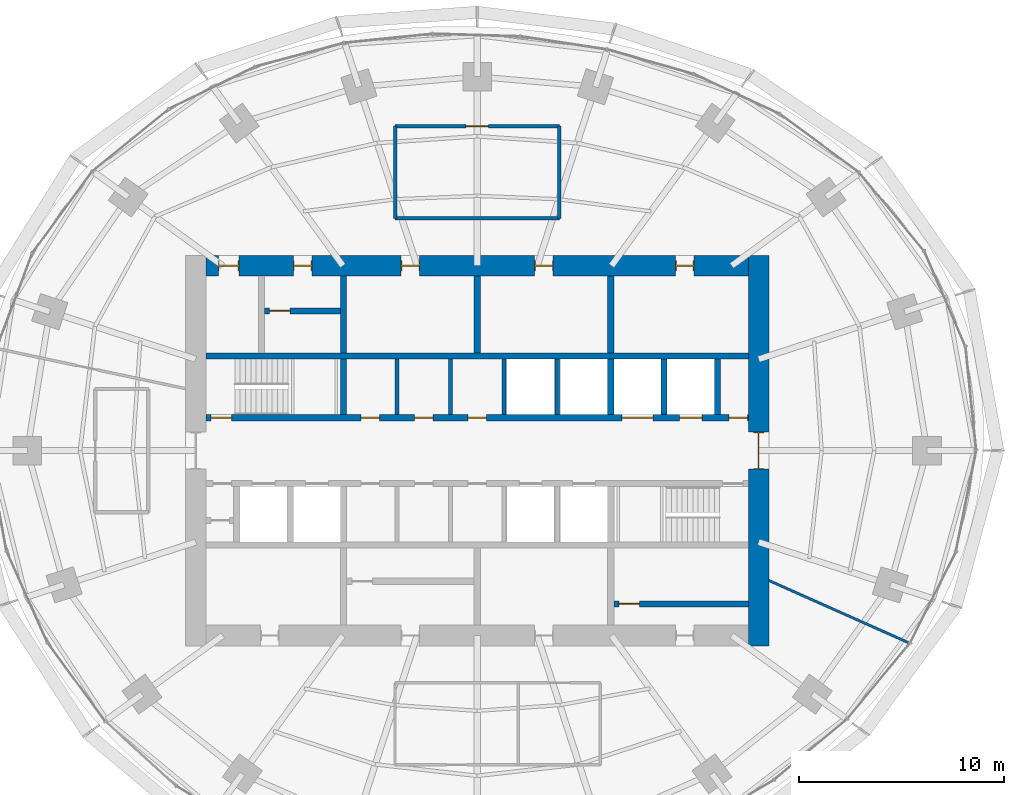
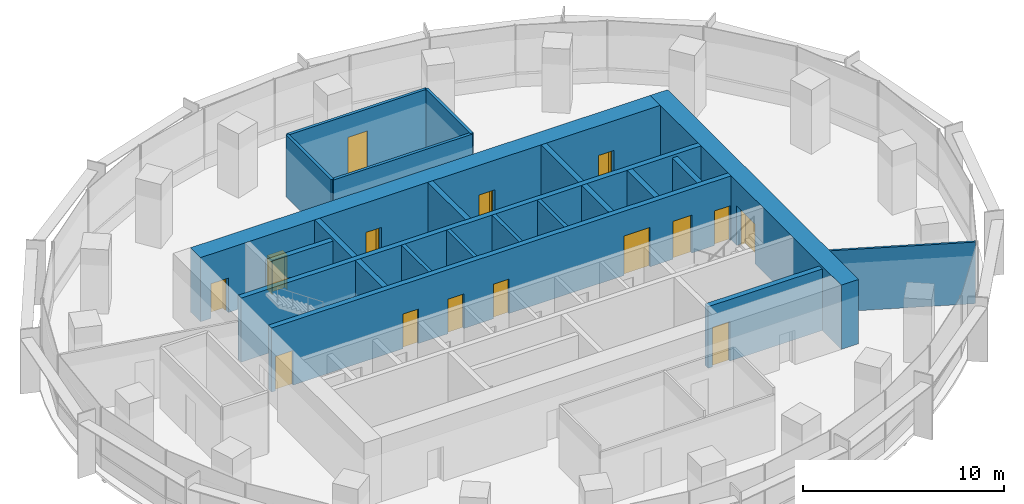
# One storey, part 11 of 14: 22 walls, 16 doors, 16 openings.
"""IFC4 building model written with IfcOpenShell, lengths in metres."""

from ifc_helpers import new_model, si_unit, direction, frame, frame_2d, origin, place, context, subcontext, project, spatial, rectangle, extrude, material, layer, layer_set, type_object, element, fill, save


model = new_model("IFC4")

# Units and contexts
model_context = context("Model", 3, precision=1e-05, world=origin(), true_north=direction((0.0, 1.0)))
body_context = subcontext(model_context, "Body", "Model", "MODEL_VIEW")
ifc_project = project(units=[si_unit("LENGTHUNIT", "METRE"), si_unit("AREAUNIT", "SQUARE_METRE"), si_unit("VOLUMEUNIT", "CUBIC_METRE"), si_unit("PLANEANGLEUNIT", "RADIAN"), si_unit("MASSUNIT", "GRAM", prefix="KILO")], contexts=[model_context])

# Site, building, storey
site_placement = place(None, origin())
site = spatial("IfcSite", under=ifc_project, at=site_placement, CompositionType="ELEMENT")
building_placement = place(site_placement, origin())
building = spatial("IfcBuilding", under=site, at=building_placement, Name="Marramba Exchange Tower", CompositionType="ELEMENT")
storey_placement = place(building_placement, frame((0.0, 0.0, 215.0)))
storey = spatial("IfcBuildingStorey", under=building, at=storey_placement, Name="L52", CompositionType="ELEMENT", Elevation=215.0)

# Wall
ifc_material_1 = material(Name="Plasterboard on staggered double steel studs, acoustic insulation", Category="steel")
ifc_layer_1 = layer(ifc_material_1, 0.169921875)
ifc_layer_set_1 = layer_set([ifc_layer_1], Name="Acoustic partition 170")
wall_type_1 = type_object("IfcWallType", Name="Acoustic partition 170", PredefinedType="PARTITIONING", material=ifc_layer_set_1)
wall_1_placement = place(storey_placement, frame((4.0, 15.800048828125, 0.0), z_axis=(0.0, 0.0, 1.0), x_axis=(0.0, -1.0, 0.0)))
element("IfcWall", 1, at=wall_1_placement, inside=storey, type_object=wall_type_1, Name="Acoustic partition L52 08", PredefinedType="PARTITIONING", context=body_context, shape_type="SweptSolid", body=[
    extrude(rectangle(XDim=4.5, YDim=0.169921875, at=frame_2d((2.25, 0.0))), origin(), (0.0, 0.0, 1.0), 3.739990234375),
])

# Wall, opening, door
wall_2_placement = place(storey_placement, frame((-4.0, 15.800048828125, 0.0), z_axis=(0.0, 0.0, 1.0), x_axis=(1.0, 0.0, 0.0)))
wall_2 = element("IfcWall", 2, at=wall_2_placement, inside=storey, type_object=wall_type_1, Name="Acoustic partition L52 09", PredefinedType="PARTITIONING", context=body_context, shape_type="SweptSolid", body=[
    extrude(rectangle(XDim=8.0, YDim=0.169921875, at=frame_2d((4.0, 0.0))), origin(), (0.0, 0.0, 1.0), 3.739990234375),
])
opening_1_placement = place(wall_2_placement, frame((3.449951171875, 0.0, 0.0)))
opening_1 = element("IfcOpeningElement", 3, at=opening_1_placement, cuts=wall_2, Name="Opening D15", PredefinedType="OPENING", context=body_context, shape_type="SweptSolid", body=[
    extrude(rectangle(XDim=1.10009765625, YDim=2.39990234375, at=frame_2d((0.550048828125, 1.199951171875))), frame((0.0, 0.094970703125, 0.0), z_axis=(0.0, -1.0, 0.0), x_axis=(1.0, 0.0, 0.0)), (0.0, 0.0, 1.0), 0.18994140625),
])
ifc_material_2 = material(Name="Timber door", Category="wood")
door_type_1 = type_object("IfcDoorType", Name="Glazed meeting room door 1100x2400", OperationType="SINGLE_SWING_LEFT", PredefinedType="DOOR", material=ifc_material_2)
door_1_placement = place(opening_1_placement, frame((1.10009765625, 0.0, 0.0), z_axis=(0.0, 0.0, 1.0), x_axis=(-1.0, 0.0, 0.0)))
door_1 = element("IfcDoor", 4, at=door_1_placement, inside=storey, type_object=door_type_1, Name="D15 Meeting Room L52", OperationType="SINGLE_SWING_RIGHT", OverallHeight=2.39990234375, OverallWidth=1.10009765625, PredefinedType="DOOR", context=body_context, shape_type="SweptSolid", body=[
    extrude(rectangle(XDim=1.10009765625, YDim=2.39990234375, at=frame_2d((0.550048828125, 1.199951171875))), frame((0.0, 0.025146484375, 0.0), z_axis=(0.0, -1.0, 0.0), x_axis=(1.0, 0.0, 0.0)), (0.0, 0.0, 1.0), 0.050048828125),
])
fill(opening_1, door_1)

# Walls
wall_3_placement = place(storey_placement, frame((4.0, 11.300048828125, 0.0), z_axis=(0.0, 0.0, 1.0), x_axis=(-1.0, 0.0, 0.0)))
element("IfcWall", 5, at=wall_3_placement, inside=storey, type_object=wall_type_1, Name="Acoustic partition L52 10", PredefinedType="PARTITIONING", context=body_context, shape_type="SweptSolid", body=[
    extrude(rectangle(XDim=8.0, YDim=0.169921875, at=frame_2d((4.0, 0.0))), origin(), (0.0, 0.0, 1.0), 3.739990234375),
])
wall_4_placement = place(storey_placement, frame((-4.0, 11.300048828125, 0.0), z_axis=(0.0, 0.0, 1.0), x_axis=(0.0, 1.0, 0.0)))
element("IfcWall", 6, at=wall_4_placement, inside=storey, type_object=wall_type_1, Name="Acoustic partition L52 11", PredefinedType="PARTITIONING", context=body_context, shape_type="SweptSolid", body=[
    extrude(rectangle(XDim=4.5, YDim=0.169921875, at=frame_2d((2.25, 0.0))), origin(), (0.0, 0.0, 1.0), 3.739990234375),
])
ifc_material_3 = material(Name="Concrete N50", Category="concrete")
ifc_layer_2 = layer(ifc_material_3, 0.199951171875)
ifc_layer_set_2 = layer_set([ifc_layer_2], Name="Core shaft wall 200")
wall_type_2 = type_object("IfcWallType", Name="Core shaft wall 200", PredefinedType="SHEAR", material=ifc_layer_set_2)
for number, where, z_axis, x_axis, name in (
    (7, (-3.89990234375, 1.75, 0.0), (0.0, 0.0, 1.0), (0.0, 1.0, 0.0), "Core wall SHN1 L52"),
    (8, (-1.300048828125, 1.75, 0.0), (0.0, 0.0, 1.0), (0.0, 1.0, 0.0), "Core wall SHN2 L52"),
    (9, (1.300048828125, 1.75, 0.0), (0.0, 0.0, 1.0), (0.0, 1.0, 0.0), "Core wall SHN3 L52"),
    (10, (3.89990234375, 1.75, 0.0), (0.0, 0.0, 1.0), (0.0, 1.0, 0.0), "Core wall SHN4 L52"),
):
    element("IfcWall", number, at=place(storey_placement, frame(where, z_axis=z_axis, x_axis=x_axis)), inside=storey, type_object=wall_type_2, Name=name, PredefinedType="SHEAR", context=body_context, shape_type="SweptSolid", body=[
        extrude(rectangle(XDim=2.699951171875, YDim=0.199951171875, at=frame_2d((1.35009765625, 0.0))), origin(), (0.0, 0.0, 1.0), 3.89990234375),
    ])

# Wall, openings, doors
ifc_layer_3 = layer(ifc_material_3, 1.0)
ifc_layer_set_3 = layer_set([ifc_layer_3], Name="Core wall 1000")
wall_type_3 = type_object("IfcWallType", Name="Core wall 1000", PredefinedType="SHEAR", material=ifc_layer_set_3)
wall_5_placement = place(storey_placement, frame((13.199951171875, 9.0, 0.0), z_axis=(0.0, 0.0, 1.0), x_axis=(-1.0, 0.0, 0.0)))
wall_5 = element("IfcWall", 11, at=wall_5_placement, inside=storey, type_object=wall_type_3, Name="Core wall N L52", PredefinedType="SHEAR", context=body_context, shape_type="SweptSolid", body=[
    extrude(rectangle(XDim=26.39990234375, YDim=1.0, at=frame_2d((13.199951171875, 0.0))), origin(), (0.0, 0.0, 1.0), 3.89990234375),
])
opening_2_placement = place(wall_5_placement, frame((2.64990234375, 0.0, 0.0)))
opening_2 = element("IfcOpeningElement", 12, at=opening_2_placement, cuts=wall_5, Name="Opening D5", PredefinedType="OPENING", context=body_context, shape_type="SweptSolid", body=[
    extrude(rectangle(XDim=0.89990234375, YDim=2.10009765625, at=frame_2d((0.449951171875, 1.050048828125))), frame((0.0, 0.510009765625, 0.0), z_axis=(0.0, -1.0, 0.0), x_axis=(1.0, 0.0, 0.0)), (0.0, 0.0, 1.0), 1.02001953125),
])
opening_3_placement = place(wall_5_placement, frame((9.5, 0.0, 0.0)))
opening_3 = element("IfcOpeningElement", 13, at=opening_3_placement, cuts=wall_5, Name="Opening D3", PredefinedType="OPENING", context=body_context, shape_type="SweptSolid", body=[
    extrude(rectangle(XDim=0.89990234375, YDim=2.10009765625, at=frame_2d((0.449951171875, 1.050048828125))), frame((0.0, 0.510009765625, 0.0), z_axis=(0.0, -1.0, 0.0), x_axis=(1.0, 0.0, 0.0)), (0.0, 0.0, 1.0), 1.02001953125),
])
opening_4_placement = place(wall_5_placement, frame((16.0, 0.0, 0.0)))
opening_4 = element("IfcOpeningElement", 14, at=opening_4_placement, cuts=wall_5, Name="Opening D3", PredefinedType="OPENING", context=body_context, shape_type="SweptSolid", body=[
    extrude(rectangle(XDim=0.89990234375, YDim=2.10009765625, at=frame_2d((0.449951171875, 1.050048828125))), frame((0.0, 0.510009765625, 0.0), z_axis=(0.0, -1.0, 0.0), x_axis=(1.0, 0.0, 0.0)), (0.0, 0.0, 1.0), 1.02001953125),
])
opening_5_placement = place(wall_5_placement, frame((21.25, 0.0, 0.0)))
opening_5 = element("IfcOpeningElement", 15, at=opening_5_placement, cuts=wall_5, Name="Opening D5", PredefinedType="OPENING", context=body_context, shape_type="SweptSolid", body=[
    extrude(rectangle(XDim=0.89990234375, YDim=2.10009765625, at=frame_2d((0.449951171875, 1.050048828125))), frame((0.0, 0.510009765625, 0.0), z_axis=(0.0, -1.0, 0.0), x_axis=(1.0, 0.0, 0.0)), (0.0, 0.0, 1.0), 1.02001953125),
])
opening_6_placement = place(wall_5_placement, frame((24.800048828125, 0.0, 0.0)))
opening_6 = element("IfcOpeningElement", 16, at=opening_6_placement, cuts=wall_5, Name="Opening D4", PredefinedType="OPENING", context=body_context, shape_type="SweptSolid", body=[
    extrude(rectangle(XDim=1.0, YDim=2.10009765625, at=frame_2d((0.5, 1.050048828125))), frame((0.0, 0.510009765625, 0.0), z_axis=(0.0, -1.0, 0.0), x_axis=(1.0, 0.0, 0.0)), (0.0, 0.0, 1.0), 1.02001953125),
])
ifc_material_4 = material(Name="Steel-framed door", Category="steel")
door_type_2 = type_object("IfcDoorType", Name="Accessible toilet door 1000x2100", OperationType="SINGLE_SWING_LEFT", PredefinedType="DOOR", material=ifc_material_4)
door_2_placement = place(opening_6_placement, origin())
door_2 = element("IfcDoor", 17, at=door_2_placement, inside=storey, type_object=door_type_2, Name="D4 awc L52", OperationType="SINGLE_SWING_RIGHT", OverallHeight=2.10009765625, OverallWidth=1.0, PredefinedType="DOOR", context=body_context, shape_type="SweptSolid", body=[
    extrude(rectangle(XDim=0.919921875, YDim=2.06005859375, at=frame_2d((0.5, 1.030029296875))), frame((0.0, 0.02490234375, 0.0), z_axis=(0.0, -1.0, 0.0), x_axis=(1.0, 0.0, 0.0)), (0.0, 0.0, 1.0), 0.050048828125),
    extrude(rectangle(XDim=0.04, YDim=2.10009765625, at=frame_2d((0.02001953125, 1.050048828125))), frame((0.0, 0.25, 0.0), z_axis=(0.0, -1.0, 0.0), x_axis=(1.0, 0.0, 0.0)), (0.0, 0.0, 1.0), 0.5),
    extrude(rectangle(XDim=0.04, YDim=2.10009765625, at=frame_2d((0.97998046875, 1.050048828125))), frame((0.0, 0.25, 0.0), z_axis=(0.0, -1.0, 0.0), x_axis=(1.0, 0.0, 0.0)), (0.0, 0.0, 1.0), 0.5),
    extrude(rectangle(XDim=0.919921875, YDim=0.04, at=frame_2d((0.5, 2.080078125))), frame((0.0, 0.25, 0.0), z_axis=(0.0, -1.0, 0.0), x_axis=(1.0, 0.0, 0.0)), (0.0, 0.0, 1.0), 0.5),
])
fill(opening_6, door_2)
door_type_3 = type_object("IfcDoorType", Name="Service door 900x2100", OperationType="SINGLE_SWING_LEFT", PredefinedType="DOOR", material=ifc_material_4)
door_3_placement = place(opening_2_placement, origin())
door_3 = element("IfcDoor", 18, at=door_3_placement, inside=storey, type_object=door_type_3, Name="D5 comms L52", OperationType="SINGLE_SWING_LEFT", OverallHeight=2.10009765625, OverallWidth=0.89990234375, PredefinedType="DOOR", context=body_context, shape_type="SweptSolid", body=[
    extrude(rectangle(XDim=0.81982421875, YDim=2.06005859375, at=frame_2d((0.449951171875, 1.030029296875))), frame((0.0, 0.02490234375, 0.0), z_axis=(0.0, -1.0, 0.0), x_axis=(1.0, 0.0, 0.0)), (0.0, 0.0, 1.0), 0.050048828125),
    extrude(rectangle(XDim=0.04, YDim=2.10009765625, at=frame_2d((0.02001953125, 1.050048828125))), frame((0.0, 0.25, 0.0), z_axis=(0.0, -1.0, 0.0), x_axis=(1.0, 0.0, 0.0)), (0.0, 0.0, 1.0), 0.5),
    extrude(rectangle(XDim=0.04, YDim=2.10009765625, at=frame_2d((0.8798828125, 1.050048828125))), frame((0.0, 0.25, 0.0), z_axis=(0.0, -1.0, 0.0), x_axis=(1.0, 0.0, 0.0)), (0.0, 0.0, 1.0), 0.5),
    extrude(rectangle(XDim=0.81982421875, YDim=0.04, at=frame_2d((0.449951171875, 2.080078125))), frame((0.0, 0.25, 0.0), z_axis=(0.0, -1.0, 0.0), x_axis=(1.0, 0.0, 0.0)), (0.0, 0.0, 1.0), 0.5),
])
fill(opening_2, door_3)
door_4_placement = place(opening_5_placement, origin())
door_4 = element("IfcDoor", 19, at=door_4_placement, inside=storey, type_object=door_type_3, Name="D5 cleaner L52", OperationType="SINGLE_SWING_RIGHT", OverallHeight=2.10009765625, OverallWidth=0.89990234375, PredefinedType="DOOR", context=body_context, shape_type="SweptSolid", body=[
    extrude(rectangle(XDim=0.81982421875, YDim=2.06005859375, at=frame_2d((0.449951171875, 1.030029296875))), frame((0.0, 0.02490234375, 0.0), z_axis=(0.0, -1.0, 0.0), x_axis=(1.0, 0.0, 0.0)), (0.0, 0.0, 1.0), 0.050048828125),
    extrude(rectangle(XDim=0.04, YDim=2.10009765625, at=frame_2d((0.02001953125, 1.050048828125))), frame((0.0, 0.25, 0.0), z_axis=(0.0, -1.0, 0.0), x_axis=(1.0, 0.0, 0.0)), (0.0, 0.0, 1.0), 0.5),
    extrude(rectangle(XDim=0.04, YDim=2.10009765625, at=frame_2d((0.8798828125, 1.050048828125))), frame((0.0, 0.25, 0.0), z_axis=(0.0, -1.0, 0.0), x_axis=(1.0, 0.0, 0.0)), (0.0, 0.0, 1.0), 0.5),
    extrude(rectangle(XDim=0.81982421875, YDim=0.04, at=frame_2d((0.449951171875, 2.080078125))), frame((0.0, 0.25, 0.0), z_axis=(0.0, -1.0, 0.0), x_axis=(1.0, 0.0, 0.0)), (0.0, 0.0, 1.0), 0.5),
])
fill(opening_5, door_4)
door_type_4 = type_object("IfcDoorType", Name="Toilet door 900x2100", OperationType="SINGLE_SWING_LEFT", PredefinedType="DOOR", material=ifc_material_4)
door_5_placement = place(opening_3_placement, origin())
door_5 = element("IfcDoor", 20, at=door_5_placement, inside=storey, type_object=door_type_4, Name="D3 wc-f L52", OperationType="SINGLE_SWING_RIGHT", OverallHeight=2.10009765625, OverallWidth=0.89990234375, PredefinedType="DOOR", context=body_context, shape_type="SweptSolid", body=[
    extrude(rectangle(XDim=0.81982421875, YDim=2.06005859375, at=frame_2d((0.449951171875, 1.030029296875))), frame((0.0, 0.02490234375, 0.0), z_axis=(0.0, -1.0, 0.0), x_axis=(1.0, 0.0, 0.0)), (0.0, 0.0, 1.0), 0.050048828125),
    extrude(rectangle(XDim=0.04, YDim=2.10009765625, at=frame_2d((0.02001953125, 1.050048828125))), frame((0.0, 0.25, 0.0), z_axis=(0.0, -1.0, 0.0), x_axis=(1.0, 0.0, 0.0)), (0.0, 0.0, 1.0), 0.5),
    extrude(rectangle(XDim=0.04, YDim=2.10009765625, at=frame_2d((0.8798828125, 1.050048828125))), frame((0.0, 0.25, 0.0), z_axis=(0.0, -1.0, 0.0), x_axis=(1.0, 0.0, 0.0)), (0.0, 0.0, 1.0), 0.5),
    extrude(rectangle(XDim=0.81982421875, YDim=0.04, at=frame_2d((0.449951171875, 2.080078125))), frame((0.0, 0.25, 0.0), z_axis=(0.0, -1.0, 0.0), x_axis=(1.0, 0.0, 0.0)), (0.0, 0.0, 1.0), 0.5),
])
fill(opening_3, door_5)
door_6_placement = place(opening_4_placement, origin())
door_6 = element("IfcDoor", 21, at=door_6_placement, inside=storey, type_object=door_type_4, Name="D3 wc-m L52", OperationType="SINGLE_SWING_RIGHT", OverallHeight=2.10009765625, OverallWidth=0.89990234375, PredefinedType="DOOR", context=body_context, shape_type="SweptSolid", body=[
    extrude(rectangle(XDim=0.81982421875, YDim=2.06005859375, at=frame_2d((0.449951171875, 1.030029296875))), frame((0.0, 0.02490234375, 0.0), z_axis=(0.0, -1.0, 0.0), x_axis=(1.0, 0.0, 0.0)), (0.0, 0.0, 1.0), 0.050048828125),
    extrude(rectangle(XDim=0.04, YDim=2.10009765625, at=frame_2d((0.02001953125, 1.050048828125))), frame((0.0, 0.25, 0.0), z_axis=(0.0, -1.0, 0.0), x_axis=(1.0, 0.0, 0.0)), (0.0, 0.0, 1.0), 0.5),
    extrude(rectangle(XDim=0.04, YDim=2.10009765625, at=frame_2d((0.8798828125, 1.050048828125))), frame((0.0, 0.25, 0.0), z_axis=(0.0, -1.0, 0.0), x_axis=(1.0, 0.0, 0.0)), (0.0, 0.0, 1.0), 0.5),
    extrude(rectangle(XDim=0.81982421875, YDim=0.04, at=frame_2d((0.449951171875, 2.080078125))), frame((0.0, 0.25, 0.0), z_axis=(0.0, -1.0, 0.0), x_axis=(1.0, 0.0, 0.0)), (0.0, 0.0, 1.0), 0.5),
])
fill(opening_4, door_6)

# Wall, opening, door
wall_6_placement = place(storey_placement, frame((13.699951171875, -9.5, 0.0), z_axis=(0.0, 0.0, 1.0), x_axis=(0.0, 1.0, 0.0)))
wall_6 = element("IfcWall", 22, at=wall_6_placement, inside=storey, type_object=wall_type_3, Name="Core wall E L52", PredefinedType="SHEAR", context=body_context, shape_type="SweptSolid", body=[
    extrude(rectangle(XDim=19.0, YDim=1.0, at=frame_2d((9.5, 0.0))), origin(), (0.0, 0.0, 1.0), 3.89990234375),
])
opening_7_placement = place(wall_6_placement, frame((8.60009765625, 0.0, 0.0)))
opening_7 = element("IfcOpeningElement", 23, at=opening_7_placement, cuts=wall_6, Name="Opening D1", PredefinedType="OPENING", context=body_context, shape_type="SweptSolid", body=[
    extrude(rectangle(XDim=1.800048828125, YDim=2.39990234375, at=frame_2d((0.89990234375, 1.199951171875))), frame((0.0, 0.510009765625, 0.0), z_axis=(0.0, -1.0, 0.0), x_axis=(1.0, 0.0, 0.0)), (0.0, 0.0, 1.0), 1.02001953125),
])
door_type_5 = type_object("IfcDoorType", Name="Lobby exit door 1800x2400", OperationType="DOUBLE_DOOR_SINGLE_SWING", PredefinedType="DOOR", material=ifc_material_4)
door_7_placement = place(opening_7_placement, origin())
door_7 = element("IfcDoor", 24, at=door_7_placement, inside=storey, type_object=door_type_5, Name="D1 lobby exit east L52", OperationType="DOUBLE_DOOR_SINGLE_SWING", OverallHeight=2.39990234375, OverallWidth=1.800048828125, PredefinedType="DOOR", context=body_context, shape_type="SweptSolid", body=[
    extrude(rectangle(XDim=1.719970703125, YDim=2.35986328125, at=frame_2d((0.89990234375, 1.179931640625))), frame((0.0, 0.02490234375, 0.0), z_axis=(0.0, -1.0, 0.0), x_axis=(1.0, 0.0, 0.0)), (0.0, 0.0, 1.0), 0.050048828125),
    extrude(rectangle(XDim=0.04, YDim=2.39990234375, at=frame_2d((0.02001953125, 1.199951171875))), frame((0.0, 0.25, 0.0), z_axis=(0.0, -1.0, 0.0), x_axis=(1.0, 0.0, 0.0)), (0.0, 0.0, 1.0), 0.5),
    extrude(rectangle(XDim=0.04, YDim=2.39990234375, at=frame_2d((1.780029296875, 1.199951171875))), frame((0.0, 0.25, 0.0), z_axis=(0.0, -1.0, 0.0), x_axis=(1.0, 0.0, 0.0)), (0.0, 0.0, 1.0), 0.5),
    extrude(rectangle(XDim=1.719970703125, YDim=0.04, at=frame_2d((0.89990234375, 2.3798828125))), frame((0.0, 0.25, 0.0), z_axis=(0.0, -1.0, 0.0), x_axis=(1.0, 0.0, 0.0)), (0.0, 0.0, 1.0), 0.5),
])
fill(opening_7, door_7)

# Wall, openings, doors
ifc_layer_4 = layer(ifc_material_3, 0.300048828125)
ifc_layer_set_4 = layer_set([ifc_layer_4], Name="Core wall 300")
wall_type_4 = type_object("IfcWallType", Name="Core wall 300", PredefinedType="SHEAR", material=ifc_layer_set_4)
wall_7_placement = place(storey_placement, frame((-13.199951171875, 1.60009765625, 0.0), z_axis=(0.0, 0.0, 1.0), x_axis=(1.0, 0.0, 0.0)))
wall_7 = element("IfcWall", 25, at=wall_7_placement, inside=storey, type_object=wall_type_4, Name="Core wall LN L52", PredefinedType="SHEAR", context=body_context, shape_type="SweptSolid", body=[
    extrude(rectangle(XDim=26.39990234375, YDim=0.300048828125, at=frame_2d((13.199951171875, 0.0))), origin(), (0.0, 0.0, 1.0), 3.89990234375),
])
opening_8_placement = place(wall_7_placement, frame((0.25, 0.0, 0.0)))
opening_8 = element("IfcOpeningElement", 26, at=opening_8_placement, cuts=wall_7, Name="Opening D2", PredefinedType="OPENING", context=body_context, shape_type="SweptSolid", body=[
    extrude(rectangle(XDim=1.0, YDim=2.10009765625, at=frame_2d((0.5, 1.050048828125))), frame((0.0, 0.159912109375, 0.0), z_axis=(0.0, -1.0, 0.0), x_axis=(1.0, 0.0, 0.0)), (0.0, 0.0, 1.0), 0.320068359375),
])
opening_9_placement = place(wall_7_placement, frame((23.050048828125, 0.0, 0.0)))
opening_9 = element("IfcOpeningElement", 27, at=opening_9_placement, cuts=wall_7, Name="Opening LD1", PredefinedType="OPENING", context=body_context, shape_type="SweptSolid", body=[
    extrude(rectangle(XDim=1.10009765625, YDim=2.300048828125, at=frame_2d((0.550048828125, 1.14990234375))), frame((0.0, 0.159912109375, 0.0), z_axis=(0.0, -1.0, 0.0), x_axis=(1.0, 0.0, 0.0)), (0.0, 0.0, 1.0), 0.320068359375),
])
opening_10_placement = place(wall_7_placement, frame((20.25, 0.0, 0.0)))
opening_10 = element("IfcOpeningElement", 28, at=opening_10_placement, cuts=wall_7, Name="Opening LD3", PredefinedType="OPENING", context=body_context, shape_type="SweptSolid", body=[
    extrude(rectangle(XDim=1.5, YDim=2.39990234375, at=frame_2d((0.75, 1.199951171875))), frame((0.0, 0.159912109375, 0.0), z_axis=(0.0, -1.0, 0.0), x_axis=(1.0, 0.0, 0.0)), (0.0, 0.0, 1.0), 0.320068359375),
])
opening_11_placement = place(wall_7_placement, frame((7.550048828125, 0.0, 0.0)))
opening_11 = element("IfcOpeningElement", 29, at=opening_11_placement, cuts=wall_7, Name="Opening D5", PredefinedType="OPENING", context=body_context, shape_type="SweptSolid", body=[
    extrude(rectangle(XDim=0.89990234375, YDim=2.10009765625, at=frame_2d((0.449951171875, 1.050048828125))), frame((0.0, 0.159912109375, 0.0), z_axis=(0.0, -1.0, 0.0), x_axis=(1.0, 0.0, 0.0)), (0.0, 0.0, 1.0), 0.320068359375),
])
opening_12_placement = place(wall_7_placement, frame((10.14990234375, 0.0, 0.0)))
opening_12 = element("IfcOpeningElement", 30, at=opening_12_placement, cuts=wall_7, Name="Opening D5", PredefinedType="OPENING", context=body_context, shape_type="SweptSolid", body=[
    extrude(rectangle(XDim=0.89990234375, YDim=2.10009765625, at=frame_2d((0.449951171875, 1.050048828125))), frame((0.0, 0.159912109375, 0.0), z_axis=(0.0, -1.0, 0.0), x_axis=(1.0, 0.0, 0.0)), (0.0, 0.0, 1.0), 0.320068359375),
])
opening_13_placement = place(wall_7_placement, frame((12.75, 0.0, 0.0)))
opening_13 = element("IfcOpeningElement", 31, at=opening_13_placement, cuts=wall_7, Name="Opening D5", PredefinedType="OPENING", context=body_context, shape_type="SweptSolid", body=[
    extrude(rectangle(XDim=0.89990234375, YDim=2.10009765625, at=frame_2d((0.449951171875, 1.050048828125))), frame((0.0, 0.159912109375, 0.0), z_axis=(0.0, -1.0, 0.0), x_axis=(1.0, 0.0, 0.0)), (0.0, 0.0, 1.0), 0.320068359375),
])
opening_14_placement = place(wall_7_placement, frame((25.449951171875, 0.0, 0.0)))
opening_14 = element("IfcOpeningElement", 32, at=opening_14_placement, cuts=wall_7, Name="Opening D5", PredefinedType="OPENING", context=body_context, shape_type="SweptSolid", body=[
    extrude(rectangle(XDim=0.89990234375, YDim=2.10009765625, at=frame_2d((0.449951171875, 1.050048828125))), frame((0.0, 0.159912109375, 0.0), z_axis=(0.0, -1.0, 0.0), x_axis=(1.0, 0.0, 0.0)), (0.0, 0.0, 1.0), 0.320068359375),
])
door_type_6 = type_object("IfcDoorType", Name="Goods lift landing door 1500x2400", OperationType="SLIDING_TO_LEFT", PredefinedType="DOOR", material=ifc_material_4)
door_8_placement = place(opening_10_placement, origin())
door_8 = element("IfcDoor", 33, at=door_8_placement, inside=storey, type_object=door_type_6, Name="GL1 landing door L52", OperationType="SLIDING_TO_LEFT", OverallHeight=2.39990234375, OverallWidth=1.5, PredefinedType="DOOR", context=body_context, shape_type="SweptSolid", body=[
    extrude(rectangle(XDim=1.5, YDim=2.39990234375, at=frame_2d((0.75, 1.199951171875))), frame((0.0, 0.02490234375, 0.0), z_axis=(0.0, -1.0, 0.0), x_axis=(1.0, 0.0, 0.0)), (0.0, 0.0, 1.0), 0.050048828125),
])
fill(opening_10, door_8)
door_type_7 = type_object("IfcDoorType", Name="Lift landing door 1100x2300", OperationType="SLIDING_TO_LEFT", PredefinedType="DOOR", material=ifc_material_4)
door_9_placement = place(opening_9_placement, origin())
door_9 = element("IfcDoor", 34, at=door_9_placement, inside=storey, type_object=door_type_7, Name="LC3 landing door L52", OperationType="SLIDING_TO_LEFT", OverallHeight=2.300048828125, OverallWidth=1.10009765625, PredefinedType="DOOR", context=body_context, shape_type="SweptSolid", body=[
    extrude(rectangle(XDim=1.10009765625, YDim=2.300048828125, at=frame_2d((0.550048828125, 1.14990234375))), frame((0.0, 0.02490234375, 0.0), z_axis=(0.0, -1.0, 0.0), x_axis=(1.0, 0.0, 0.0)), (0.0, 0.0, 1.0), 0.050048828125),
])
fill(opening_9, door_9)
door_10_placement = place(opening_11_placement, origin())
door_10 = element("IfcDoor", 35, at=door_10_placement, inside=storey, type_object=door_type_3, Name="D5 stationery store L52", OperationType="SINGLE_SWING_RIGHT", OverallHeight=2.10009765625, OverallWidth=0.89990234375, PredefinedType="DOOR", context=body_context, shape_type="SweptSolid", body=[
    extrude(rectangle(XDim=0.89990234375, YDim=2.10009765625, at=frame_2d((0.449951171875, 1.050048828125))), frame((0.0, 0.02490234375, 0.0), z_axis=(0.0, -1.0, 0.0), x_axis=(1.0, 0.0, 0.0)), (0.0, 0.0, 1.0), 0.050048828125),
])
fill(opening_11, door_10)
door_11_placement = place(opening_12_placement, origin())
door_11 = element("IfcDoor", 36, at=door_11_placement, inside=storey, type_object=door_type_3, Name="D5 switch room L52", OperationType="SINGLE_SWING_RIGHT", OverallHeight=2.10009765625, OverallWidth=0.89990234375, PredefinedType="DOOR", context=body_context, shape_type="SweptSolid", body=[
    extrude(rectangle(XDim=0.89990234375, YDim=2.10009765625, at=frame_2d((0.449951171875, 1.050048828125))), frame((0.0, 0.02490234375, 0.0), z_axis=(0.0, -1.0, 0.0), x_axis=(1.0, 0.0, 0.0)), (0.0, 0.0, 1.0), 0.050048828125),
])
fill(opening_12, door_11)
door_12_placement = place(opening_13_placement, origin())
door_12 = element("IfcDoor", 37, at=door_12_placement, inside=storey, type_object=door_type_3, Name="D5 cleaner store L52", OperationType="SINGLE_SWING_RIGHT", OverallHeight=2.10009765625, OverallWidth=0.89990234375, PredefinedType="DOOR", context=body_context, shape_type="SweptSolid", body=[
    extrude(rectangle(XDim=0.89990234375, YDim=2.10009765625, at=frame_2d((0.449951171875, 1.050048828125))), frame((0.0, 0.02490234375, 0.0), z_axis=(0.0, -1.0, 0.0), x_axis=(1.0, 0.0, 0.0)), (0.0, 0.0, 1.0), 0.050048828125),
])
fill(opening_13, door_12)
door_13_placement = place(opening_14_placement, origin())
door_13 = element("IfcDoor", 38, at=door_13_placement, inside=storey, type_object=door_type_3, Name="D5 riser L52", OperationType="SINGLE_SWING_RIGHT", OverallHeight=2.10009765625, OverallWidth=0.89990234375, PredefinedType="DOOR", context=body_context, shape_type="SweptSolid", body=[
    extrude(rectangle(XDim=0.89990234375, YDim=2.10009765625, at=frame_2d((0.449951171875, 1.050048828125))), frame((0.0, 0.02490234375, 0.0), z_axis=(0.0, -1.0, 0.0), x_axis=(1.0, 0.0, 0.0)), (0.0, 0.0, 1.0), 0.050048828125),
])
fill(opening_14, door_13)
door_type_8 = type_object("IfcDoorType", Name="Stair door 1000x2100", OperationType="SINGLE_SWING_LEFT", PredefinedType="DOOR", material=ifc_material_4)
door_14_placement = place(opening_8_placement, origin())
door_14 = element("IfcDoor", 39, at=door_14_placement, inside=storey, type_object=door_type_8, Name="D2 stair ST1 L52", OperationType="SINGLE_SWING_LEFT", OverallHeight=2.10009765625, OverallWidth=1.0, PredefinedType="DOOR", context=body_context, shape_type="SweptSolid", body=[
    extrude(rectangle(XDim=1.0, YDim=2.10009765625, at=frame_2d((0.5, 1.050048828125))), frame((0.0, 0.02490234375, 0.0), z_axis=(0.0, -1.0, 0.0), x_axis=(1.0, 0.0, 0.0)), (0.0, 0.0, 1.0), 0.050048828125),
])
fill(opening_8, door_14)

# Walls
wall_8_placement = place(storey_placement, frame((-13.199951171875, 4.60009765625, 0.0), z_axis=(0.0, 0.0, 1.0), x_axis=(1.0, 0.0, 0.0)))
element("IfcWall", 40, at=wall_8_placement, inside=storey, type_object=wall_type_4, Name="Core wall BN L52", PredefinedType="SHEAR", context=body_context, shape_type="SweptSolid", body=[
    extrude(rectangle(XDim=26.39990234375, YDim=0.300048828125, at=frame_2d((13.199951171875, 0.0))), origin(), (0.0, 0.0, 1.0), 3.89990234375),
])
wall_9_placement = place(storey_placement, frame((-6.5, 1.75, 0.0), z_axis=(0.0, 0.0, 1.0), x_axis=(0.0, 1.0, 0.0)))
element("IfcWall", 41, at=wall_9_placement, inside=storey, type_object=wall_type_4, Name="Core wall X0Na L52", PredefinedType="SHEAR", context=body_context, shape_type="SweptSolid", body=[
    extrude(rectangle(XDim=2.699951171875, YDim=0.300048828125, at=frame_2d((1.35009765625, 0.0))), origin(), (0.0, 0.0, 1.0), 3.89990234375),
])
wall_10_placement = place(storey_placement, frame((-6.5, 4.75, 0.0), z_axis=(0.0, 0.0, 1.0), x_axis=(0.0, 1.0, 0.0)))
element("IfcWall", 42, at=wall_10_placement, inside=storey, type_object=wall_type_4, Name="Core wall X0Nb L52", PredefinedType="SHEAR", context=body_context, shape_type="SweptSolid", body=[
    extrude(rectangle(XDim=3.75, YDim=0.300048828125, at=frame_2d((1.875, 0.0))), origin(), (0.0, 0.0, 1.0), 3.89990234375),
])
wall_11_placement = place(storey_placement, frame((6.5, 1.75, 0.0), z_axis=(0.0, 0.0, 1.0), x_axis=(0.0, 1.0, 0.0)))
element("IfcWall", 43, at=wall_11_placement, inside=storey, type_object=wall_type_4, Name="Core wall X1Na L52", PredefinedType="SHEAR", context=body_context, shape_type="SweptSolid", body=[
    extrude(rectangle(XDim=2.699951171875, YDim=0.300048828125, at=frame_2d((1.35009765625, 0.0))), origin(), (0.0, 0.0, 1.0), 3.89990234375),
])
for number, where, z_axis, x_axis, name in (
    (44, (6.5, 4.75, 0.0), (0.0, 0.0, 1.0), (0.0, 1.0, 0.0), "Core wall X1Nb L52"),
    (45, (0.0, 4.75, 0.0), (0.0, 0.0, 1.0), (0.0, 1.0, 0.0), "Core wall MN L52"),
):
    element("IfcWall", number, at=place(storey_placement, frame(where, z_axis=z_axis, x_axis=x_axis)), inside=storey, type_object=wall_type_4, Name=name, PredefinedType="SHEAR", context=body_context, shape_type="SweptSolid", body=[
        extrude(rectangle(XDim=3.75, YDim=0.300048828125, at=frame_2d((1.875, 0.0))), origin(), (0.0, 0.0, 1.0), 3.89990234375),
    ])
wall_12_placement = place(storey_placement, frame((9.10009765625, 1.75, 0.0), z_axis=(0.0, 0.0, 1.0), x_axis=(0.0, 1.0, 0.0)))
element("IfcWall", 46, at=wall_12_placement, inside=storey, type_object=wall_type_4, Name="Core wall ED L52", PredefinedType="SHEAR", context=body_context, shape_type="SweptSolid", body=[
    extrude(rectangle(XDim=2.699951171875, YDim=0.300048828125, at=frame_2d((1.35009765625, 0.0))), origin(), (0.0, 0.0, 1.0), 3.89990234375),
])
ifc_material_5 = material(Name="Core-filled concrete blockwork", Category="masonry")
ifc_layer_5 = layer(ifc_material_5, 0.300048828125)
ifc_layer_set_5 = layer_set([ifc_layer_5], Name="Lift shaft wall 300")
wall_type_5 = type_object("IfcWallType", Name="Lift shaft wall 300", PredefinedType="SOLIDWALL", material=ifc_layer_set_5)
wall_13_placement = place(storey_placement, frame((11.699951171875, 1.75, 0.0), z_axis=(0.0, 0.0, 1.0), x_axis=(0.0, 1.0, 0.0)))
element("IfcWall", 47, at=wall_13_placement, inside=storey, type_object=wall_type_5, Name="Lift shaft wall E1 L52", PredefinedType="SOLIDWALL", context=body_context, shape_type="SweptSolid", body=[
    extrude(rectangle(XDim=2.699951171875, YDim=0.300048828125, at=frame_2d((1.35009765625, 0.0))), origin(), (0.0, 0.0, 1.0), 3.739990234375),
])
ifc_material_6 = material(Name="Plasterboard on steel studs", Category="steel")
ifc_layer_6 = layer(ifc_material_6, 0.1201171875)
ifc_layer_set_6 = layer_set([ifc_layer_6], Name="Partition 120")
wall_type_6 = type_object("IfcWallType", Name="Partition 120", PredefinedType="PARTITIONING", material=ifc_layer_set_6)
wall_14_placement = place(storey_placement, frame((20.989013671875, -9.344970703125, 0.0), z_axis=(0.0, 0.0, 1.0), x_axis=(-0.913544472316, 0.406738856147, 0.0)))
element("IfcWall", 48, at=wall_14_placement, inside=storey, type_object=wall_type_6, Name="Partition L52 07", PredefinedType="PARTITIONING", context=body_context, shape_type="SweptSolid", body=[
    extrude(rectangle(XDim=7.431640625, YDim=0.1201171875, at=frame_2d((3.7158203125, 0.0))), origin(), (0.0, 0.0, 1.0), 3.739990234375),
])

# Wall, opening, door
ifc_material_7 = material(Name="Plasterboard on steel studs, insulated, unrated", Category="steel")
ifc_layer_7 = layer(ifc_material_7, 0.300048828125)
ifc_layer_set_7 = layer_set([ifc_layer_7], Name="Store partition 300")
wall_type_7 = type_object("IfcWallType", Name="Store partition 300", PredefinedType="PARTITIONING", material=ifc_layer_set_7)
wall_15_placement = place(storey_placement, frame((-10.35009765625, 6.800048828125, 0.0), z_axis=(0.0, 0.0, 1.0), x_axis=(1.0, 0.0, 0.0)))
wall_15 = element("IfcWall", 49, at=wall_15_placement, inside=storey, type_object=wall_type_7, Name="Store partition L52 cleaner", PredefinedType="PARTITIONING", context=body_context, shape_type="SweptSolid", body=[
    extrude(rectangle(XDim=3.7001953125, YDim=0.300048828125, at=frame_2d((1.85009765625, 0.0))), origin(), (0.0, 0.0, 1.0), 3.739990234375),
])
opening_15_placement = place(wall_15_placement, frame((0.25, 0.0, 0.0)))
opening_15 = element("IfcOpeningElement", 50, at=opening_15_placement, cuts=wall_15, Name="Opening D9", PredefinedType="OPENING", context=body_context, shape_type="SweptSolid", body=[
    extrude(rectangle(XDim=1.0, YDim=2.39990234375, at=frame_2d((0.5, 1.199951171875))), frame((0.0, 0.159912109375, 0.0), z_axis=(0.0, -1.0, 0.0), x_axis=(1.0, 0.0, 0.0)), (0.0, 0.0, 1.0), 0.320068359375),
])
door_type_9 = type_object("IfcDoorType", Name="Room door 1000x2400", OperationType="SINGLE_SWING_LEFT", PredefinedType="DOOR", material=ifc_material_2)
door_15_placement = place(opening_15_placement, origin())
door_15 = element("IfcDoor", 51, at=door_15_placement, inside=storey, type_object=door_type_9, Name="D9 cleaning store L52", OperationType="SINGLE_SWING_LEFT", OverallHeight=2.39990234375, OverallWidth=1.0, PredefinedType="DOOR", context=body_context, shape_type="SweptSolid", body=[
    extrude(rectangle(XDim=1.0, YDim=2.39990234375, at=frame_2d((0.5, 1.199951171875))), frame((0.0, 0.02490234375, 0.0), z_axis=(0.0, -1.0, 0.0), x_axis=(1.0, 0.0, 0.0)), (0.0, 0.0, 1.0), 0.050048828125),
])
fill(opening_15, door_15)

wall_16_placement = place(storey_placement, frame((6.64990234375, -7.4599609375, 0.0), z_axis=(0.0, 0.0, 1.0), x_axis=(1.0, 0.0, 0.0)))
wall_16 = element("IfcWall", 52, at=wall_16_placement, inside=storey, type_object=wall_type_7, Name="Store partition L52 cstore", PredefinedType="PARTITIONING", context=body_context, shape_type="SweptSolid", body=[
    extrude(rectangle(XDim=6.550048828125, YDim=0.300048828125, at=frame_2d((3.27490234375, 0.0))), origin(), (0.0, 0.0, 1.0), 3.739990234375),
])
opening_16_placement = place(wall_16_placement, frame((0.25, 0.0, 0.0)))
opening_16 = element("IfcOpeningElement", 53, at=opening_16_placement, cuts=wall_16, Name="Opening D9", PredefinedType="OPENING", context=body_context, shape_type="SweptSolid", body=[
    extrude(rectangle(XDim=1.0, YDim=2.39990234375, at=frame_2d((0.5, 1.199951171875))), frame((0.0, 0.159912109375, 0.0), z_axis=(0.0, -1.0, 0.0), x_axis=(1.0, 0.0, 0.0)), (0.0, 0.0, 1.0), 0.320068359375),
])
door_16_placement = place(opening_16_placement, frame((1.0, 0.0, 0.0), z_axis=(0.0, 0.0, 1.0), x_axis=(-1.0, 0.0, 0.0)))
door_16 = element("IfcDoor", 54, at=door_16_placement, inside=storey, type_object=door_type_9, Name="D9 general store L52", OperationType="SINGLE_SWING_RIGHT", OverallHeight=2.39990234375, OverallWidth=1.0, PredefinedType="DOOR", context=body_context, shape_type="SweptSolid", body=[
    extrude(rectangle(XDim=1.0, YDim=2.39990234375, at=frame_2d((0.5, 1.199951171875))), frame((0.0, 0.025146484375, 0.0), z_axis=(0.0, -1.0, 0.0), x_axis=(1.0, 0.0, 0.0)), (0.0, 0.0, 1.0), 0.050048828125),
])
fill(opening_16, door_16)

save(model, "model.ifc")
